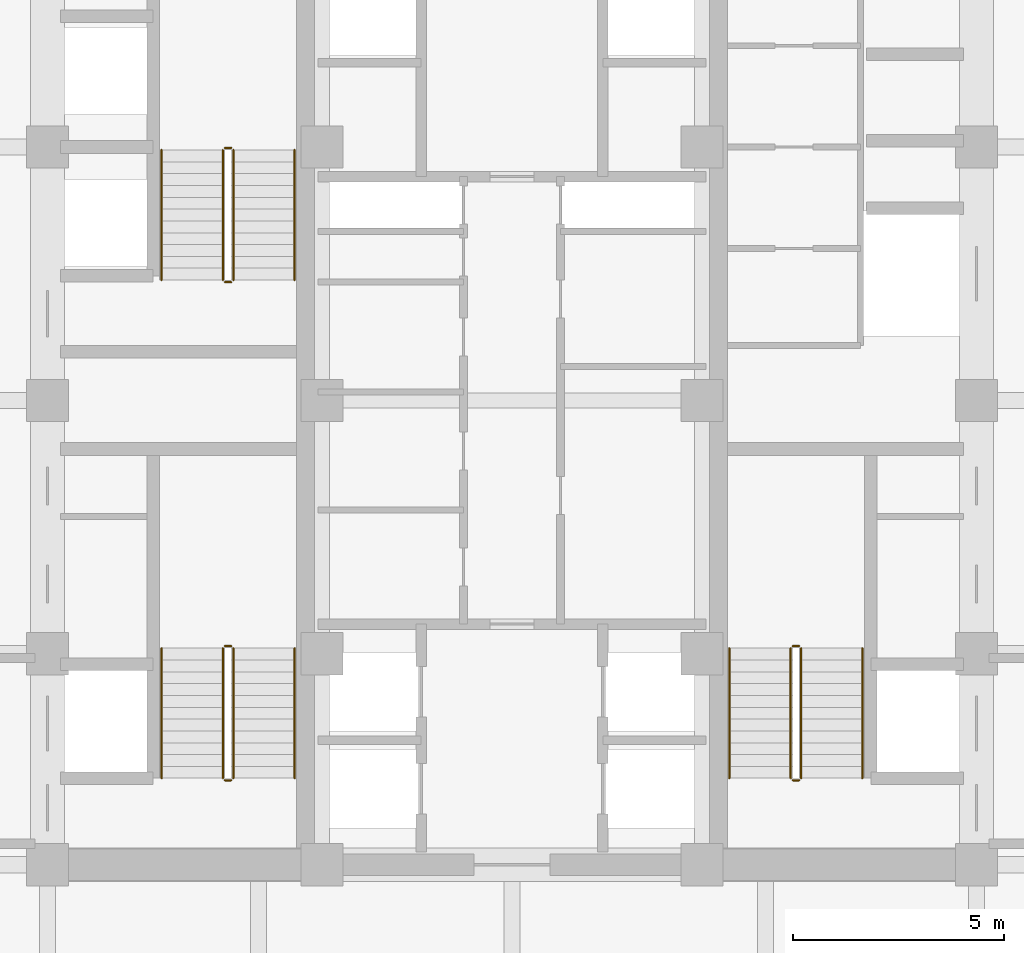
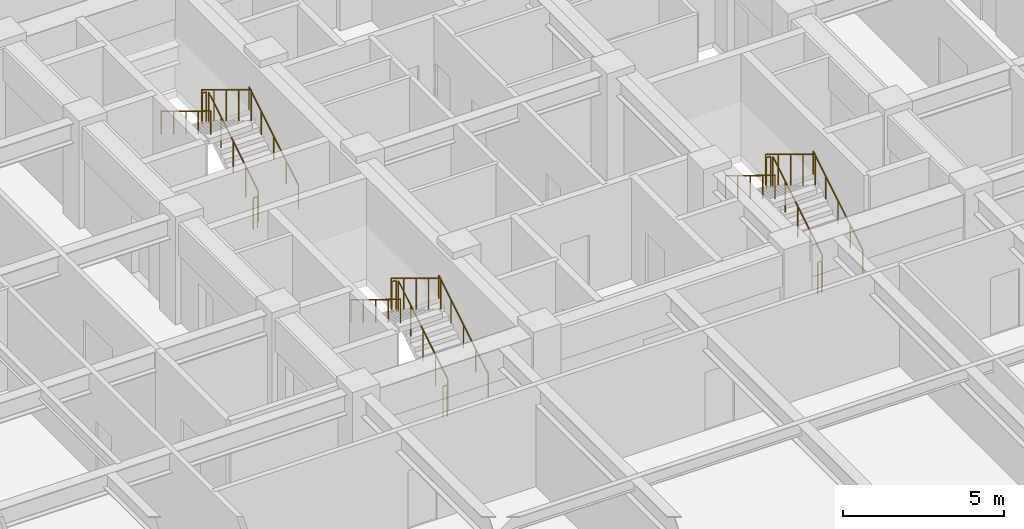
# One storey, part 27 of 27: 18 railings.
"""IFC4 building model written with IfcOpenShell, lengths in metres."""

from ifc_helpers import new_model, si_unit, direction, frame, origin, origin_2d, place, context, subcontext, project, spatial, circle, extrude, source, transform, mapped, material, type_object, element, save


model = new_model("IFC4")

# Units and contexts
model_context = context("Model", 3, precision=1e-05, world=origin(), true_north=direction((0.0, 1.0)))
body_context = subcontext(model_context, "Body", "Model", "MODEL_VIEW")
ifc_project = project(units=[si_unit("LENGTHUNIT", "METRE"), si_unit("AREAUNIT", "SQUARE_METRE"), si_unit("VOLUMEUNIT", "CUBIC_METRE"), si_unit("PLANEANGLEUNIT", "RADIAN"), si_unit("MASSUNIT", "GRAM", prefix="KILO")], contexts=[model_context])

# Site, building, storey
site_placement = place(None, origin())
site = spatial("IfcSite", under=ifc_project, at=site_placement, CompositionType="ELEMENT")
building_placement = place(site_placement, origin())
building = spatial("IfcBuilding", under=site, at=building_placement, Name="Khorayat Bourse Tower", CompositionType="ELEMENT")
storey_placement = place(building_placement, frame((0.0, 0.0, 111.89990234375)))
storey = spatial("IfcBuildingStorey", under=building, at=storey_placement, Name="L25", CompositionType="ELEMENT", Elevation=111.89990234375)

# Railings
ifc_material_1 = material(Name="Powder-coated steel balustrade", Category="steel")
railing_type_1 = type_object("IfcRailingType", Name="RLG-GUARD-1200", PredefinedType="GUARDRAIL", material=ifc_material_1)
shared_shape_1 = source(origin(), body_context, "Body", "SweptSolid", [
    extrude(circle(Radius=0.02392578125, at=origin_2d()), frame((0.0, 0.0, 1.17578125), z_axis=(-1.0, 0.0, 0.0), x_axis=(0.0, -1.0, 0.0)), (0.0, 0.0, 1.0), 0.150146484375),
    extrude(circle(Radius=0.02099609375, at=origin_2d()), origin(), (0.0, 0.0, 1.0), 1.15185546875),
    extrude(circle(Radius=0.02099609375, at=origin_2d()), frame((-0.150146484375, 0.0, 0.0)), (0.0, 0.0, 1.0), 1.15185546875),
])
for number, where, name in (
    (1, (-6.64990234375, -5.820068359375, 2.050048828125), "L25 ST-1 stair guard 2"),
    (2, (-6.64990234375, -9.0, 0.0), "L25 ST-1 stair guard 4"),
    (3, (-6.64990234375, 5.97998046875, 2.050048828125), "L25 ST-2 stair guard 2"),
    (4, (-6.64990234375, 2.800048828125, 0.0), "L25 ST-2 stair guard 4"),
    (5, (6.800048828125, -5.820068359375, 2.050048828125), "L25 ST-3 stair guard 2"),
    (6, (6.800048828125, -9.0, 0.0), "L25 ST-3 stair guard 4"),
):
    element("IfcRailing", number, at=place(storey_placement, frame(where)), inside=storey, type_object=railing_type_1, Name=name, PredefinedType="GUARDRAIL", context=body_context, shape_type="MappedRepresentation", body=[
        mapped(shared_shape_1, transform((0.0, 0.0, 0.0), scale=1.0)),
    ])
shared_shape_2 = source(origin(), body_context, "Body", "SweptSolid", [
    extrude(circle(Radius=0.02392578125, at=origin_2d()), frame((0.0, 0.0, 1.17578125), z_axis=(0.0, 0.853647949592, 0.520850437417), x_axis=(-1.0, 0.0, 0.0)), (0.0, 0.0, 1.0), 3.60791015625),
    extrude(circle(Radius=0.02099609375, at=origin_2d()), origin(), (0.0, 0.0, 1.0), 1.15185546875),
    extrude(circle(Radius=0.02099609375, at=origin_2d()), frame((0.0, 0.77001953125, 0.4697265625)), (0.0, 0.0, 1.0), 1.15185546875),
    extrude(circle(Radius=0.02099609375, at=origin_2d()), frame((0.0, 1.5400390625, 0.939453125)), (0.0, 0.0, 1.0), 1.15185546875),
    extrude(circle(Radius=0.02099609375, at=origin_2d()), frame((0.0, 2.309814453125, 1.409423828125)), (0.0, 0.0, 1.0), 1.15185546875),
    extrude(circle(Radius=0.02099609375, at=origin_2d()), frame((0.0, 3.079833984375, 1.879150390625)), (0.0, 0.0, 1.0), 1.15185546875),
])
for number, where, name in (
    (7, (-6.60009765625, -8.949951171875, 0.1708984375), "L25 ST-1 stair guard 1"),
    (8, (-6.60009765625, 2.85009765625, 0.1708984375), "L25 ST-2 stair guard 1"),
    (9, (6.85009765625, -8.949951171875, 0.1708984375), "L25 ST-3 stair guard 1"),
):
    element("IfcRailing", number, at=place(storey_placement, frame(where)), inside=storey, type_object=railing_type_1, Name=name, PredefinedType="GUARDRAIL", context=body_context, shape_type="MappedRepresentation", body=[
        mapped(shared_shape_2, transform((0.0, 0.0, 0.0), scale=1.0)),
    ])
shared_shape_3 = source(origin(), body_context, "Body", "SweptSolid", [
    extrude(circle(Radius=0.02392578125, at=origin_2d()), frame((0.0, 0.0, 1.17578125), z_axis=(0.0, -0.853647949592, 0.520850437417), x_axis=(1.0, 0.0, 0.0)), (0.0, 0.0, 1.0), 3.60791015625),
    extrude(circle(Radius=0.02099609375, at=origin_2d()), origin(), (0.0, 0.0, 1.0), 1.15185546875),
    extrude(circle(Radius=0.02099609375, at=origin_2d()), frame((0.0, -0.77001953125, 0.4697265625)), (0.0, 0.0, 1.0), 1.15185546875),
    extrude(circle(Radius=0.02099609375, at=origin_2d()), frame((0.0, -1.5400390625, 0.939453125)), (0.0, 0.0, 1.0), 1.15185546875),
    extrude(circle(Radius=0.02099609375, at=origin_2d()), frame((0.0, -2.309814453125, 1.409423828125)), (0.0, 0.0, 1.0), 1.15185546875),
    extrude(circle(Radius=0.02099609375, at=origin_2d()), frame((0.0, -3.079833984375, 1.879150390625)), (0.0, 0.0, 1.0), 1.15185546875),
])
for number, where, name in (
    (10, (-6.85009765625, -5.8701171875, 2.220947265625), "L25 ST-1 stair guard 3"),
    (11, (-6.85009765625, 5.929931640625, 2.220947265625), "L25 ST-2 stair guard 3"),
    (12, (6.60009765625, -5.8701171875, 2.220947265625), "L25 ST-3 stair guard 3"),
):
    element("IfcRailing", number, at=place(storey_placement, frame(where)), inside=storey, type_object=railing_type_1, Name=name, PredefinedType="GUARDRAIL", context=body_context, shape_type="MappedRepresentation", body=[
        mapped(shared_shape_3, transform((0.0, 0.0, 0.0), scale=1.0)),
    ])
ifc_material_2 = material(Name="Brushed bronze stainless-steel handrail", Category="steel")
railing_type_2 = type_object("IfcRailingType", Name="RLG-HAND-900", PredefinedType="HANDRAIL", material=ifc_material_2)
shared_shape_4 = source(origin(), body_context, "Body", "SweptSolid", [
    extrude(circle(Radius=0.02392578125, at=origin_2d()), frame((0.0, 0.0, 0.8759765625), z_axis=(0.0, 0.853647949592, 0.520850437417), x_axis=(-1.0, 0.0, 0.0)), (0.0, 0.0, 1.0), 3.60791015625),
    extrude(circle(Radius=0.02099609375, at=origin_2d()), origin(), (0.0, 0.0, 1.0), 0.851806640625),
    extrude(circle(Radius=0.02099609375, at=origin_2d()), frame((0.0, 0.77001953125, 0.4697265625)), (0.0, 0.0, 1.0), 0.851806640625),
    extrude(circle(Radius=0.02099609375, at=origin_2d()), frame((0.0, 1.5400390625, 0.939453125)), (0.0, 0.0, 1.0), 0.851806640625),
    extrude(circle(Radius=0.02099609375, at=origin_2d()), frame((0.0, 2.309814453125, 1.409423828125)), (0.0, 0.0, 1.0), 0.851806640625),
    extrude(circle(Radius=0.02099609375, at=origin_2d()), frame((0.0, 3.079833984375, 1.879150390625)), (0.0, 0.0, 1.0), 0.851806640625),
])
for number, where, name in (
    (13, (-5.14990234375, -8.949951171875, 0.1708984375), "L25 ST-1 stair handrail 1"),
    (14, (-5.14990234375, 2.85009765625, 0.1708984375), "L25 ST-2 stair handrail 1"),
    (15, (8.300048828125, -8.949951171875, 0.1708984375), "L25 ST-3 stair handrail 1"),
):
    element("IfcRailing", number, at=place(storey_placement, frame(where)), inside=storey, type_object=railing_type_2, Name=name, PredefinedType="HANDRAIL", context=body_context, shape_type="MappedRepresentation", body=[
        mapped(shared_shape_4, transform((0.0, 0.0, 0.0), scale=1.0)),
    ])
shared_shape_5 = source(origin(), body_context, "Body", "SweptSolid", [
    extrude(circle(Radius=0.02392578125, at=origin_2d()), frame((0.0, 0.0, 0.8759765625), z_axis=(0.0, -0.853647949592, 0.520850437417), x_axis=(1.0, 0.0, 0.0)), (0.0, 0.0, 1.0), 3.60791015625),
    extrude(circle(Radius=0.02099609375, at=origin_2d()), origin(), (0.0, 0.0, 1.0), 0.851806640625),
    extrude(circle(Radius=0.02099609375, at=origin_2d()), frame((0.0, -0.77001953125, 0.4697265625)), (0.0, 0.0, 1.0), 0.851806640625),
    extrude(circle(Radius=0.02099609375, at=origin_2d()), frame((0.0, -1.5400390625, 0.939453125)), (0.0, 0.0, 1.0), 0.851806640625),
    extrude(circle(Radius=0.02099609375, at=origin_2d()), frame((0.0, -2.309814453125, 1.409423828125)), (0.0, 0.0, 1.0), 0.851806640625),
    extrude(circle(Radius=0.02099609375, at=origin_2d()), frame((0.0, -3.079833984375, 1.879150390625)), (0.0, 0.0, 1.0), 0.851806640625),
])
for number, where, name in (
    (16, (-8.300048828125, -5.8701171875, 2.220947265625), "L25 ST-1 stair handrail 2"),
    (17, (-8.300048828125, 5.929931640625, 2.220947265625), "L25 ST-2 stair handrail 2"),
    (18, (5.14990234375, -5.8701171875, 2.220947265625), "L25 ST-3 stair handrail 2"),
):
    element("IfcRailing", number, at=place(storey_placement, frame(where)), inside=storey, type_object=railing_type_2, Name=name, PredefinedType="HANDRAIL", context=body_context, shape_type="MappedRepresentation", body=[
        mapped(shared_shape_5, transform((0.0, 0.0, 0.0), scale=1.0)),
    ])

save(model, "model.ifc")
